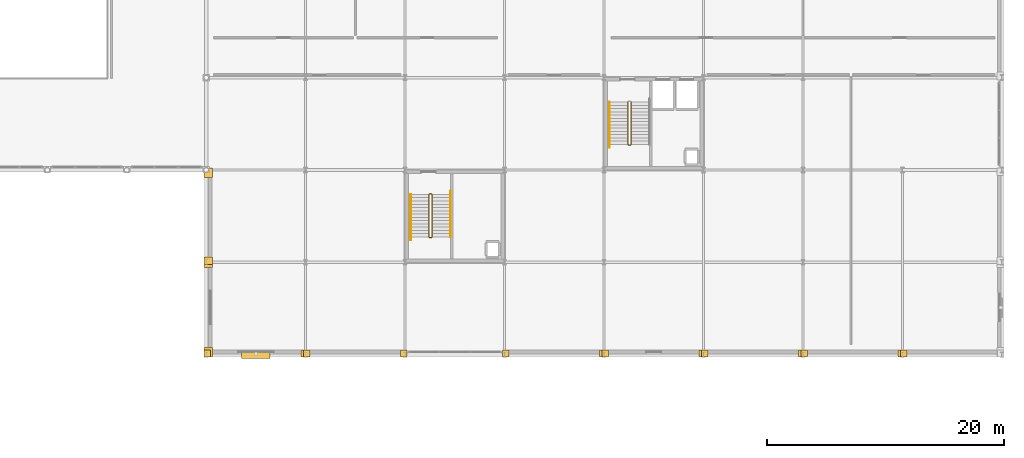
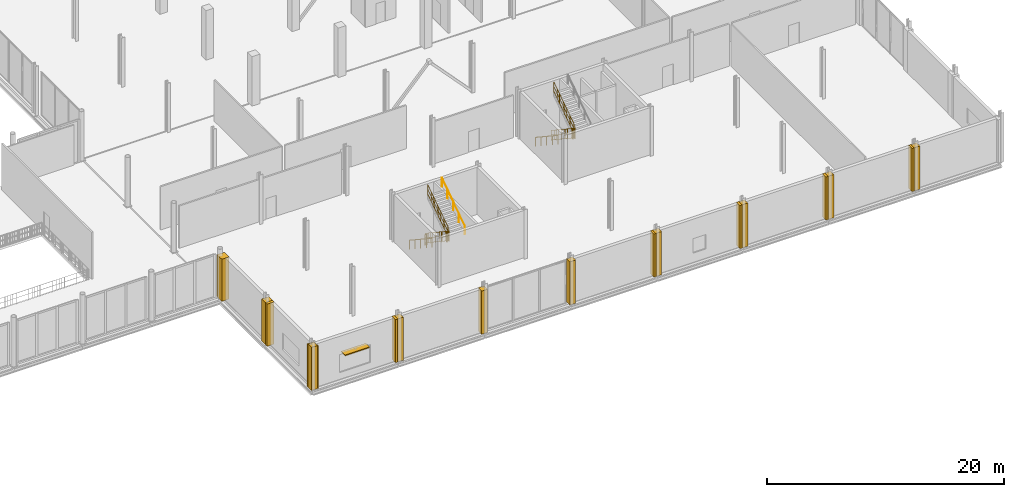
# One storey, part 102 of 105: 17 coverings, 10 railings, 1 shading device.
"""IFC4 building model written with IfcOpenShell, lengths in metres."""

from ifc_helpers import new_model, si_unit, direction, frame, origin, origin_2d, place, context, subcontext, project, spatial, polyline, rectangle, circle, outline, extrude, material, layer, layer_set, type_object, element, save


model = new_model("IFC4")

# Units and contexts
model_context = context("Model", 3, precision=1e-05, world=origin(), true_north=direction((0.0, 1.0)))
body_context = subcontext(model_context, "Body", "Model", "MODEL_VIEW")
ifc_project = project(units=[si_unit("LENGTHUNIT", "METRE"), si_unit("AREAUNIT", "SQUARE_METRE"), si_unit("VOLUMEUNIT", "CUBIC_METRE"), si_unit("PLANEANGLEUNIT", "RADIAN"), si_unit("MASSUNIT", "GRAM", prefix="KILO")], contexts=[model_context])

# Site, building, storey
site_placement = place(None, origin())
site = spatial("IfcSite", under=ifc_project, at=site_placement, CompositionType="ELEMENT")
building_placement = place(site_placement, origin())
building = spatial("IfcBuilding", under=site, at=building_placement, Name="Nabrawat Pavilion Hospital", CompositionType="ELEMENT")
storey_placement = place(building_placement, frame((0.0, 0.0, 5.10009765625)))
storey = spatial("IfcBuildingStorey", under=building, at=storey_placement, Name="L01", CompositionType="ELEMENT", Elevation=5.10009765625)

# Coverings
ifc_material_1 = material(Name="Precast concrete C40/50", Category="concrete")
ifc_layer_1 = layer(ifc_material_1, 0.360107421875, Name="Precast concrete C40/50")
ifc_layer_set_1 = layer_set([ifc_layer_1], Name="Precast concrete C40/50")
covering_type = type_object("IfcCoveringType", Name="Architectural Precast Column-Jamb Closure Reveal", PredefinedType="CLADDING", material=ifc_layer_set_1)
covering_1_placement = place(storey_placement, origin())
element("IfcCovering", 1, at=covering_1_placement, inside=storey, type_object=covering_type, Name="L01 Precast Facade Column-Jamb Weatherseal Closure 0239", PredefinedType="CLADDING", context=body_context, shape_type="SweptSolid", body=[
    extrude(outline(polyline([(126.52001953125, -0.179931640625), (126.52001953125, 0.6201171875), (125.820068359375, 0.6201171875), (125.820068359375, -0.179931640625), (126.52001953125, -0.179931640625)])), origin(), (0.0, 0.0, 1.0), 4.349853515625),
])
covering_2_placement = place(storey_placement, origin())
element("IfcCovering", 2, at=covering_2_placement, inside=storey, type_object=covering_type, Name="L01 Precast Facade Column-Jamb Weatherseal Closure 0240", PredefinedType="CLADDING", context=body_context, shape_type="SweptSolid", body=[
    extrude(outline(polyline([(126.52001953125, 7.344970703125), (126.52001953125, 7.97998046875), (125.820068359375, 7.97998046875), (125.820068359375, 7.344970703125), (126.52001953125, 7.344970703125)])), origin(), (0.0, 0.0, 1.0), 4.349853515625),
])
covering_3_placement = place(storey_placement, origin())
element("IfcCovering", 3, at=covering_3_placement, inside=storey, type_object=covering_type, Name="L01 Precast Facade Column-Jamb Weatherseal Closure 0241", PredefinedType="CLADDING", context=body_context, shape_type="SweptSolid", body=[
    extrude(outline(polyline([(126.52001953125, 7.6201171875), (126.52001953125, 8.2548828125), (125.820068359375, 8.2548828125), (125.820068359375, 7.6201171875), (126.52001953125, 7.6201171875)])), origin(), (0.0, 0.0, 1.0), 4.349853515625),
])
covering_4_placement = place(storey_placement, origin())
element("IfcCovering", 4, at=covering_4_placement, inside=storey, type_object=covering_type, Name="L01 Precast Facade Column-Jamb Weatherseal Closure 0242", PredefinedType="CLADDING", context=body_context, shape_type="SweptSolid", body=[
    extrude(outline(polyline([(126.52001953125, 14.97998046875), (126.52001953125, 15.780029296875), (125.820068359375, 15.780029296875), (125.820068359375, 14.97998046875), (126.52001953125, 14.97998046875)])), origin(), (0.0, 0.0, 1.0), 4.349853515625),
])
covering_5_placement = place(storey_placement, origin())
element("IfcCovering", 5, at=covering_5_placement, inside=storey, type_object=covering_type, Name="L01 Precast Facade Column-Jamb Weatherseal Closure 0243", PredefinedType="CLADDING", context=body_context, shape_type="SweptSolid", body=[
    extrude(outline(polyline([(126.3798828125, -0.179931640625), (126.3798828125, 0.39990234375), (125.820068359375, 0.39990234375), (125.820068359375, -0.179931640625), (126.3798828125, -0.179931640625)])), origin(), (0.0, 0.0, 1.0), 4.449951171875),
])
covering_6_placement = place(storey_placement, origin())
element("IfcCovering", 6, at=covering_6_placement, inside=storey, type_object=covering_type, Name="L01 Precast Facade Column-Jamb Weatherseal Closure 0244", PredefinedType="CLADDING", context=body_context, shape_type="SweptSolid", body=[
    extrude(outline(polyline([(134.580078125, -0.179931640625), (134.580078125, 0.39990234375), (134.02001953125, 0.39990234375), (134.02001953125, -0.179931640625), (134.580078125, -0.179931640625)])), origin(), (0.0, 0.0, 1.0), 4.449951171875),
])
covering_7_placement = place(storey_placement, origin())
element("IfcCovering", 7, at=covering_7_placement, inside=storey, type_object=covering_type, Name="L01 Precast Facade Column-Jamb Weatherseal Closure 0245", PredefinedType="CLADDING", context=body_context, shape_type="SweptSolid", body=[
    extrude(outline(polyline([(134.780029296875, -0.179931640625), (134.780029296875, 0.39990234375), (134.219970703125, 0.39990234375), (134.219970703125, -0.179931640625), (134.780029296875, -0.179931640625)])), origin(), (0.0, 0.0, 1.0), 4.449951171875),
])
covering_8_placement = place(storey_placement, origin())
element("IfcCovering", 8, at=covering_8_placement, inside=storey, type_object=covering_type, Name="L01 Precast Facade Column-Jamb Weatherseal Closure 0246", PredefinedType="CLADDING", context=body_context, shape_type="SweptSolid", body=[
    extrude(outline(polyline([(142.97998046875, -0.179931640625), (142.97998046875, 0.39990234375), (142.419921875, 0.39990234375), (142.419921875, -0.179931640625), (142.97998046875, -0.179931640625)])), origin(), (0.0, 0.0, 1.0), 4.449951171875),
])
covering_9_placement = place(storey_placement, origin())
element("IfcCovering", 9, at=covering_9_placement, inside=storey, type_object=covering_type, Name="L01 Precast Facade Column-Jamb Weatherseal Closure 0247", PredefinedType="CLADDING", context=body_context, shape_type="SweptSolid", body=[
    extrude(outline(polyline([(151.580078125, -0.179931640625), (151.580078125, 0.39990234375), (151.02001953125, 0.39990234375), (151.02001953125, -0.179931640625), (151.580078125, -0.179931640625)])), origin(), (0.0, 0.0, 1.0), 4.449951171875),
])
covering_10_placement = place(storey_placement, origin())
element("IfcCovering", 10, at=covering_10_placement, inside=storey, type_object=covering_type, Name="L01 Precast Facade Column-Jamb Weatherseal Closure 0248", PredefinedType="CLADDING", context=body_context, shape_type="SweptSolid", body=[
    extrude(outline(polyline([(159.780029296875, -0.179931640625), (159.780029296875, 0.39990234375), (159.219970703125, 0.39990234375), (159.219970703125, -0.179931640625), (159.780029296875, -0.179931640625)])), origin(), (0.0, 0.0, 1.0), 4.449951171875),
])
covering_11_placement = place(storey_placement, origin())
element("IfcCovering", 11, at=covering_11_placement, inside=storey, type_object=covering_type, Name="L01 Precast Facade Column-Jamb Weatherseal Closure 0249", PredefinedType="CLADDING", context=body_context, shape_type="SweptSolid", body=[
    extrude(outline(polyline([(159.97998046875, -0.179931640625), (159.97998046875, 0.39990234375), (159.419921875, 0.39990234375), (159.419921875, -0.179931640625), (159.97998046875, -0.179931640625)])), origin(), (0.0, 0.0, 1.0), 4.449951171875),
])
covering_12_placement = place(storey_placement, origin())
element("IfcCovering", 12, at=covering_12_placement, inside=storey, type_object=covering_type, Name="L01 Precast Facade Column-Jamb Weatherseal Closure 0250", PredefinedType="CLADDING", context=body_context, shape_type="SweptSolid", body=[
    extrude(outline(polyline([(168.179931640625, -0.179931640625), (168.179931640625, 0.39990234375), (167.6201171875, 0.39990234375), (167.6201171875, -0.179931640625), (168.179931640625, -0.179931640625)])), origin(), (0.0, 0.0, 1.0), 4.449951171875),
])
covering_13_placement = place(storey_placement, origin())
element("IfcCovering", 13, at=covering_13_placement, inside=storey, type_object=covering_type, Name="L01 Precast Facade Column-Jamb Weatherseal Closure 0251", PredefinedType="CLADDING", context=body_context, shape_type="SweptSolid", body=[
    extrude(outline(polyline([(168.3798828125, -0.179931640625), (168.3798828125, 0.39990234375), (167.820068359375, 0.39990234375), (167.820068359375, -0.179931640625), (168.3798828125, -0.179931640625)])), origin(), (0.0, 0.0, 1.0), 4.449951171875),
])
covering_14_placement = place(storey_placement, origin())
element("IfcCovering", 14, at=covering_14_placement, inside=storey, type_object=covering_type, Name="L01 Precast Facade Column-Jamb Weatherseal Closure 0252", PredefinedType="CLADDING", context=body_context, shape_type="SweptSolid", body=[
    extrude(outline(polyline([(176.580078125, -0.179931640625), (176.580078125, 0.39990234375), (176.02001953125, 0.39990234375), (176.02001953125, -0.179931640625), (176.580078125, -0.179931640625)])), origin(), (0.0, 0.0, 1.0), 4.449951171875),
])
covering_15_placement = place(storey_placement, origin())
element("IfcCovering", 15, at=covering_15_placement, inside=storey, type_object=covering_type, Name="L01 Precast Facade Column-Jamb Weatherseal Closure 0253", PredefinedType="CLADDING", context=body_context, shape_type="SweptSolid", body=[
    extrude(outline(polyline([(176.780029296875, -0.179931640625), (176.780029296875, 0.39990234375), (176.219970703125, 0.39990234375), (176.219970703125, -0.179931640625), (176.780029296875, -0.179931640625)])), origin(), (0.0, 0.0, 1.0), 4.449951171875),
])
covering_16_placement = place(storey_placement, origin())
element("IfcCovering", 16, at=covering_16_placement, inside=storey, type_object=covering_type, Name="L01 Precast Facade Column-Jamb Weatherseal Closure 0254", PredefinedType="CLADDING", context=body_context, shape_type="SweptSolid", body=[
    extrude(outline(polyline([(184.97998046875, -0.179931640625), (184.97998046875, 0.39990234375), (184.419921875, 0.39990234375), (184.419921875, -0.179931640625), (184.97998046875, -0.179931640625)])), origin(), (0.0, 0.0, 1.0), 4.449951171875),
])
covering_17_placement = place(storey_placement, origin())
element("IfcCovering", 17, at=covering_17_placement, inside=storey, type_object=covering_type, Name="L01 Precast Facade Column-Jamb Weatherseal Closure 0255", PredefinedType="CLADDING", context=body_context, shape_type="SweptSolid", body=[
    extrude(outline(polyline([(185.179931640625, -0.179931640625), (185.179931640625, 0.39990234375), (184.6201171875, 0.39990234375), (184.6201171875, -0.179931640625), (185.179931640625, -0.179931640625)])), origin(), (0.0, 0.0, 1.0), 4.449951171875),
])

# Railings
ifc_material_2 = material(Name="Stainless Steel 316", Category="steel")
ifc_layer_2 = layer(ifc_material_2, 0.050048828125, Name="Stainless Steel 316")
ifc_layer_set_2 = layer_set([ifc_layer_2], Name="Stainless Steel 316")
railing_type_1 = type_object("IfcRailingType", Name="Stair Open-Well Safety Guardrail 1100", PredefinedType="GUARDRAIL", material=ifc_layer_set_2)
railing_1_placement = place(storey_placement, frame((161.625, 21.330078125, 0.18212890625)))
element("IfcRailing", 18, at=railing_1_placement, inside=storey, type_object=railing_type_1, Name="L01 ST-04 stair guard 1", PredefinedType="GUARDRAIL", context=body_context, shape_type="SweptSolid", body=[
    extrude(circle(Radius=0.02392578125, at=origin_2d()), frame((0.0, 0.0, 1.076171875), z_axis=(0.0, -0.833745659579, 0.552148689334), x_axis=(1.0, 0.0, 0.0)), (0.0, 0.0, 1.0), 4.2880859375),
    extrude(circle(Radius=0.02392578125, at=origin_2d()), frame((0.0, 0.0, 0.10009765625), z_axis=(0.0, -0.833745659579, 0.552148689334), x_axis=(1.0, 0.0, 0.0)), (0.0, 0.0, 1.0), 4.2880859375),
    extrude(circle(Radius=0.02392578125, at=origin_2d()), frame((0.0, 0.0, 0.60498046875), z_axis=(0.0, -0.833745659579, 0.552148689334), x_axis=(1.0, 0.0, 0.0)), (0.0, 0.0, 1.0), 4.2880859375),
    extrude(circle(Radius=0.008056640625, at=origin_2d()), frame((0.0, -0.19873046875, 0.2314453125)), (0.0, 0.0, 1.0), 0.951904296875),
    extrude(circle(Radius=0.008056640625, at=origin_2d()), frame((0.0, -0.397216796875, 0.363037109375)), (0.0, 0.0, 1.0), 0.951904296875),
    extrude(circle(Radius=0.008056640625, at=origin_2d()), frame((0.0, -0.595947265625, 0.49462890625)), (0.0, 0.0, 1.0), 0.951904296875),
    extrude(circle(Radius=0.008056640625, at=origin_2d()), frame((0.0, -0.79443359375, 0.626220703125)), (0.0, 0.0, 1.0), 0.951904296875),
    extrude(circle(Radius=0.008056640625, at=origin_2d()), frame((0.0, -0.9931640625, 0.757568359375)), (0.0, 0.0, 1.0), 0.951904296875),
    extrude(circle(Radius=0.008056640625, at=origin_2d()), frame((0.0, -1.191650390625, 0.88916015625)), (0.0, 0.0, 1.0), 0.951904296875),
    extrude(circle(Radius=0.008056640625, at=origin_2d()), frame((0.0, -1.390380859375, 1.020751953125)), (0.0, 0.0, 1.0), 0.951904296875),
    extrude(circle(Radius=0.008056640625, at=origin_2d()), frame((0.0, -1.5888671875, 1.15234375)), (0.0, 0.0, 1.0), 0.951904296875),
    extrude(circle(Radius=0.008056640625, at=origin_2d()), frame((0.0, -1.986328125, 1.415283203125)), (0.0, 0.0, 1.0), 0.951904296875),
    extrude(circle(Radius=0.008056640625, at=origin_2d()), frame((0.0, -2.184814453125, 1.546875)), (0.0, 0.0, 1.0), 0.951904296875),
    extrude(circle(Radius=0.008056640625, at=origin_2d()), frame((0.0, -2.383544921875, 1.678466796875)), (0.0, 0.0, 1.0), 0.951904296875),
    extrude(circle(Radius=0.008056640625, at=origin_2d()), frame((0.0, -2.58203125, 1.81005859375)), (0.0, 0.0, 1.0), 0.951904296875),
    extrude(circle(Radius=0.008056640625, at=origin_2d()), frame((0.0, -2.78076171875, 1.94140625)), (0.0, 0.0, 1.0), 0.951904296875),
    extrude(circle(Radius=0.008056640625, at=origin_2d()), frame((0.0, -2.979248046875, 2.072998046875)), (0.0, 0.0, 1.0), 0.951904296875),
    extrude(circle(Radius=0.008056640625, at=origin_2d()), frame((0.0, -3.177978515625, 2.20458984375)), (0.0, 0.0, 1.0), 0.951904296875),
    extrude(circle(Radius=0.008056640625, at=origin_2d()), frame((0.0, -3.37646484375, 2.336181640625)), (0.0, 0.0, 1.0), 0.951904296875),
    extrude(circle(Radius=0.02099609375, at=origin_2d()), origin(), (0.0, 0.0, 1.0), 1.052001953125),
    extrude(circle(Radius=0.02099609375, at=origin_2d()), frame((0.0, -0.893798828125, 0.591796875)), (0.0, 0.0, 1.0), 1.052001953125),
    extrude(circle(Radius=0.02099609375, at=origin_2d()), frame((0.0, -1.78759765625, 1.183837890625)), (0.0, 0.0, 1.0), 1.052001953125),
    extrude(circle(Radius=0.02099609375, at=origin_2d()), frame((0.0, -2.681396484375, 1.77587890625)), (0.0, 0.0, 1.0), 1.052001953125),
    extrude(circle(Radius=0.02099609375, at=origin_2d()), frame((0.0, -3.5751953125, 2.36767578125)), (0.0, 0.0, 1.0), 1.052001953125),
])
railing_2_placement = place(storey_placement, frame((161.64990234375, 17.705078125, 2.5498046875)))
element("IfcRailing", 19, at=railing_2_placement, inside=storey, type_object=railing_type_1, Name="L01 ST-04 stair guard 2", PredefinedType="GUARDRAIL", context=body_context, shape_type="SweptSolid", body=[
    extrude(circle(Radius=0.02392578125, at=origin_2d()), frame((0.0, 0.0, 1.076171875), z_axis=(1.0, 0.0, 0.0), x_axis=(0.0, 1.0, 0.0)), (0.0, 0.0, 1.0), 0.2001953125),
    extrude(circle(Radius=0.02392578125, at=origin_2d()), frame((0.0, 0.0, 0.10009765625), z_axis=(1.0, 0.0, 0.0), x_axis=(0.0, 1.0, 0.0)), (0.0, 0.0, 1.0), 0.2001953125),
    extrude(circle(Radius=0.02392578125, at=origin_2d()), frame((0.0, 0.0, 0.60498046875), z_axis=(1.0, 0.0, 0.0), x_axis=(0.0, 1.0, 0.0)), (0.0, 0.0, 1.0), 0.2001953125),
    extrude(circle(Radius=0.008056640625, at=origin_2d()), frame((0.10009765625, 0.0, 0.10009765625)), (0.0, 0.0, 1.0), 0.951904296875),
    extrude(circle(Radius=0.02099609375, at=origin_2d()), origin(), (0.0, 0.0, 1.0), 1.052001953125),
    extrude(circle(Radius=0.02099609375, at=origin_2d()), frame((0.2001953125, 0.0, 0.0)), (0.0, 0.0, 1.0), 1.052001953125),
])
railing_3_placement = place(storey_placement, frame((161.875, 17.7548828125, 2.73193359375)))
element("IfcRailing", 20, at=railing_3_placement, inside=storey, type_object=railing_type_1, Name="L01 ST-04 stair guard 3", PredefinedType="GUARDRAIL", context=body_context, shape_type="SweptSolid", body=[
    extrude(circle(Radius=0.02392578125, at=origin_2d()), frame((0.0, 0.0, 1.076171875), z_axis=(0.0, 0.833719449677, 0.5521882643), x_axis=(-1.0, 0.0, 0.0)), (0.0, 0.0, 1.0), 4.288330078125),
    extrude(circle(Radius=0.02392578125, at=origin_2d()), frame((0.0, 0.0, 0.10009765625), z_axis=(0.0, 0.833719449677, 0.5521882643), x_axis=(-1.0, 0.0, 0.0)), (0.0, 0.0, 1.0), 4.288330078125),
    extrude(circle(Radius=0.02392578125, at=origin_2d()), frame((0.0, 0.0, 0.60498046875), z_axis=(0.0, 0.833719449677, 0.5521882643), x_axis=(-1.0, 0.0, 0.0)), (0.0, 0.0, 1.0), 4.288330078125),
    extrude(circle(Radius=0.008056640625, at=origin_2d()), frame((0.0, 0.19873046875, 0.2314453125)), (0.0, 0.0, 1.0), 0.951904296875),
    extrude(circle(Radius=0.008056640625, at=origin_2d()), frame((0.0, 0.397216796875, 0.363037109375)), (0.0, 0.0, 1.0), 0.951904296875),
    extrude(circle(Radius=0.008056640625, at=origin_2d()), frame((0.0, 0.595947265625, 0.49462890625)), (0.0, 0.0, 1.0), 0.951904296875),
    extrude(circle(Radius=0.008056640625, at=origin_2d()), frame((0.0, 0.79443359375, 0.626220703125)), (0.0, 0.0, 1.0), 0.951904296875),
    extrude(circle(Radius=0.008056640625, at=origin_2d()), frame((0.0, 0.9931640625, 0.7578125)), (0.0, 0.0, 1.0), 0.951904296875),
    extrude(circle(Radius=0.008056640625, at=origin_2d()), frame((0.0, 1.191650390625, 0.889404296875)), (0.0, 0.0, 1.0), 0.951904296875),
    extrude(circle(Radius=0.008056640625, at=origin_2d()), frame((0.0, 1.390380859375, 1.020751953125)), (0.0, 0.0, 1.0), 0.951904296875),
    extrude(circle(Radius=0.008056640625, at=origin_2d()), frame((0.0, 1.5888671875, 1.15234375)), (0.0, 0.0, 1.0), 0.951904296875),
    extrude(circle(Radius=0.008056640625, at=origin_2d()), frame((0.0, 1.986328125, 1.41552734375)), (0.0, 0.0, 1.0), 0.951904296875),
    extrude(circle(Radius=0.008056640625, at=origin_2d()), frame((0.0, 2.184814453125, 1.547119140625)), (0.0, 0.0, 1.0), 0.951904296875),
    extrude(circle(Radius=0.008056640625, at=origin_2d()), frame((0.0, 2.383544921875, 1.6787109375)), (0.0, 0.0, 1.0), 0.951904296875),
    extrude(circle(Radius=0.008056640625, at=origin_2d()), frame((0.0, 2.58203125, 1.81005859375)), (0.0, 0.0, 1.0), 0.951904296875),
    extrude(circle(Radius=0.008056640625, at=origin_2d()), frame((0.0, 2.78076171875, 1.941650390625)), (0.0, 0.0, 1.0), 0.951904296875),
    extrude(circle(Radius=0.008056640625, at=origin_2d()), frame((0.0, 2.979248046875, 2.0732421875)), (0.0, 0.0, 1.0), 0.951904296875),
    extrude(circle(Radius=0.008056640625, at=origin_2d()), frame((0.0, 3.177978515625, 2.204833984375)), (0.0, 0.0, 1.0), 0.951904296875),
    extrude(circle(Radius=0.008056640625, at=origin_2d()), frame((0.0, 3.37646484375, 2.33642578125)), (0.0, 0.0, 1.0), 0.951904296875),
    extrude(circle(Radius=0.02099609375, at=origin_2d()), origin(), (0.0, 0.0, 1.0), 1.052001953125),
    extrude(circle(Radius=0.02099609375, at=origin_2d()), frame((0.0, 0.893798828125, 0.592041015625)), (0.0, 0.0, 1.0), 1.052001953125),
    extrude(circle(Radius=0.02099609375, at=origin_2d()), frame((0.0, 1.78759765625, 1.18408203125)), (0.0, 0.0, 1.0), 1.052001953125),
    extrude(circle(Radius=0.02099609375, at=origin_2d()), frame((0.0, 2.681396484375, 1.77587890625)), (0.0, 0.0, 1.0), 1.052001953125),
    extrude(circle(Radius=0.02099609375, at=origin_2d()), frame((0.0, 3.5751953125, 2.367919921875)), (0.0, 0.0, 1.0), 1.052001953125),
])
railing_4_placement = place(storey_placement, frame((144.824951171875, 13.530029296875, 0.18212890625)))
element("IfcRailing", 21, at=railing_4_placement, inside=storey, type_object=railing_type_1, Name="L01 ST-08 stair guard 1", PredefinedType="GUARDRAIL", context=body_context, shape_type="SweptSolid", body=[
    extrude(circle(Radius=0.02392578125, at=origin_2d()), frame((0.0, 0.0, 1.076171875), z_axis=(0.0, -0.833728300892, 0.552174900092), x_axis=(1.0, 0.0, 0.0)), (0.0, 0.0, 1.0), 4.287841796875),
    extrude(circle(Radius=0.02392578125, at=origin_2d()), frame((0.0, 0.0, 0.10009765625), z_axis=(0.0, -0.833728300892, 0.552174900092), x_axis=(1.0, 0.0, 0.0)), (0.0, 0.0, 1.0), 4.287841796875),
    extrude(circle(Radius=0.02392578125, at=origin_2d()), frame((0.0, 0.0, 0.60498046875), z_axis=(0.0, -0.833728300892, 0.552174900092), x_axis=(1.0, 0.0, 0.0)), (0.0, 0.0, 1.0), 4.287841796875),
    extrude(circle(Radius=0.008056640625, at=origin_2d()), frame((0.0, -0.19873046875, 0.2314453125)), (0.0, 0.0, 1.0), 0.951904296875),
    extrude(circle(Radius=0.008056640625, at=origin_2d()), frame((0.0, -0.397216796875, 0.363037109375)), (0.0, 0.0, 1.0), 0.951904296875),
    extrude(circle(Radius=0.008056640625, at=origin_2d()), frame((0.0, -0.595703125, 0.49462890625)), (0.0, 0.0, 1.0), 0.951904296875),
    extrude(circle(Radius=0.008056640625, at=origin_2d()), frame((0.0, -0.79443359375, 0.626220703125)), (0.0, 0.0, 1.0), 0.951904296875),
    extrude(circle(Radius=0.008056640625, at=origin_2d()), frame((0.0, -0.9931640625, 0.757568359375)), (0.0, 0.0, 1.0), 0.951904296875),
    extrude(circle(Radius=0.008056640625, at=origin_2d()), frame((0.0, -1.191650390625, 0.88916015625)), (0.0, 0.0, 1.0), 0.951904296875),
    extrude(circle(Radius=0.008056640625, at=origin_2d()), frame((0.0, -1.39013671875, 1.020751953125)), (0.0, 0.0, 1.0), 0.951904296875),
    extrude(circle(Radius=0.008056640625, at=origin_2d()), frame((0.0, -1.5888671875, 1.15234375)), (0.0, 0.0, 1.0), 0.951904296875),
    extrude(circle(Radius=0.008056640625, at=origin_2d()), frame((0.0, -1.986083984375, 1.415283203125)), (0.0, 0.0, 1.0), 0.951904296875),
    extrude(circle(Radius=0.008056640625, at=origin_2d()), frame((0.0, -2.1845703125, 1.546875)), (0.0, 0.0, 1.0), 0.951904296875),
    extrude(circle(Radius=0.008056640625, at=origin_2d()), frame((0.0, -2.38330078125, 1.678466796875)), (0.0, 0.0, 1.0), 0.951904296875),
    extrude(circle(Radius=0.008056640625, at=origin_2d()), frame((0.0, -2.58203125, 1.81005859375)), (0.0, 0.0, 1.0), 0.951904296875),
    extrude(circle(Radius=0.008056640625, at=origin_2d()), frame((0.0, -2.780517578125, 1.94140625)), (0.0, 0.0, 1.0), 0.951904296875),
    extrude(circle(Radius=0.008056640625, at=origin_2d()), frame((0.0, -2.97900390625, 2.072998046875)), (0.0, 0.0, 1.0), 0.951904296875),
    extrude(circle(Radius=0.008056640625, at=origin_2d()), frame((0.0, -3.177734375, 2.20458984375)), (0.0, 0.0, 1.0), 0.951904296875),
    extrude(circle(Radius=0.008056640625, at=origin_2d()), frame((0.0, -3.37646484375, 2.336181640625)), (0.0, 0.0, 1.0), 0.951904296875),
    extrude(circle(Radius=0.02099609375, at=origin_2d()), origin(), (0.0, 0.0, 1.0), 1.052001953125),
    extrude(circle(Radius=0.02099609375, at=origin_2d()), frame((0.0, -0.893798828125, 0.591796875)), (0.0, 0.0, 1.0), 1.052001953125),
    extrude(circle(Radius=0.02099609375, at=origin_2d()), frame((0.0, -1.78759765625, 1.183837890625)), (0.0, 0.0, 1.0), 1.052001953125),
    extrude(circle(Radius=0.02099609375, at=origin_2d()), frame((0.0, -2.68115234375, 1.77587890625)), (0.0, 0.0, 1.0), 1.052001953125),
    extrude(circle(Radius=0.02099609375, at=origin_2d()), frame((0.0, -3.574951171875, 2.36767578125)), (0.0, 0.0, 1.0), 1.052001953125),
])
railing_5_placement = place(storey_placement, frame((144.85009765625, 9.905029296875, 2.5498046875)))
element("IfcRailing", 22, at=railing_5_placement, inside=storey, type_object=railing_type_1, Name="L01 ST-08 stair guard 2", PredefinedType="GUARDRAIL", context=body_context, shape_type="SweptSolid", body=[
    extrude(circle(Radius=0.02392578125, at=origin_2d()), frame((0.0, 0.0, 1.076171875), z_axis=(1.0, 0.0, 0.0), x_axis=(0.0, 1.0, 0.0)), (0.0, 0.0, 1.0), 0.199951171875),
    extrude(circle(Radius=0.02392578125, at=origin_2d()), frame((0.0, 0.0, 0.10009765625), z_axis=(1.0, 0.0, 0.0), x_axis=(0.0, 1.0, 0.0)), (0.0, 0.0, 1.0), 0.199951171875),
    extrude(circle(Radius=0.02392578125, at=origin_2d()), frame((0.0, 0.0, 0.60498046875), z_axis=(1.0, 0.0, 0.0), x_axis=(0.0, 1.0, 0.0)), (0.0, 0.0, 1.0), 0.199951171875),
    extrude(circle(Radius=0.008056640625, at=origin_2d()), frame((0.10009765625, 0.0, 0.10009765625)), (0.0, 0.0, 1.0), 0.951904296875),
    extrude(circle(Radius=0.02099609375, at=origin_2d()), origin(), (0.0, 0.0, 1.0), 1.052001953125),
    extrude(circle(Radius=0.02099609375, at=origin_2d()), frame((0.199951171875, 0.0, 0.0)), (0.0, 0.0, 1.0), 1.052001953125),
])
railing_6_placement = place(storey_placement, frame((145.074951171875, 9.955078125, 2.73193359375)))
element("IfcRailing", 23, at=railing_6_placement, inside=storey, type_object=railing_type_1, Name="L01 ST-08 stair guard 3", PredefinedType="GUARDRAIL", context=body_context, shape_type="SweptSolid", body=[
    extrude(circle(Radius=0.02392578125, at=origin_2d()), frame((0.0, 0.0, 1.076171875), z_axis=(0.0, 0.833702089047, 0.552214475289), x_axis=(-1.0, 0.0, 0.0)), (0.0, 0.0, 1.0), 4.2880859375),
    extrude(circle(Radius=0.02392578125, at=origin_2d()), frame((0.0, 0.0, 0.10009765625), z_axis=(0.0, 0.833702089047, 0.552214475289), x_axis=(-1.0, 0.0, 0.0)), (0.0, 0.0, 1.0), 4.2880859375),
    extrude(circle(Radius=0.02392578125, at=origin_2d()), frame((0.0, 0.0, 0.60498046875), z_axis=(0.0, 0.833702089047, 0.552214475289), x_axis=(-1.0, 0.0, 0.0)), (0.0, 0.0, 1.0), 4.2880859375),
    extrude(circle(Radius=0.008056640625, at=origin_2d()), frame((0.0, 0.19873046875, 0.2314453125)), (0.0, 0.0, 1.0), 0.951904296875),
    extrude(circle(Radius=0.008056640625, at=origin_2d()), frame((0.0, 0.397216796875, 0.363037109375)), (0.0, 0.0, 1.0), 0.951904296875),
    extrude(circle(Radius=0.008056640625, at=origin_2d()), frame((0.0, 0.595703125, 0.49462890625)), (0.0, 0.0, 1.0), 0.951904296875),
    extrude(circle(Radius=0.008056640625, at=origin_2d()), frame((0.0, 0.79443359375, 0.626220703125)), (0.0, 0.0, 1.0), 0.951904296875),
    extrude(circle(Radius=0.008056640625, at=origin_2d()), frame((0.0, 0.9931640625, 0.7578125)), (0.0, 0.0, 1.0), 0.951904296875),
    extrude(circle(Radius=0.008056640625, at=origin_2d()), frame((0.0, 1.191650390625, 0.889404296875)), (0.0, 0.0, 1.0), 0.951904296875),
    extrude(circle(Radius=0.008056640625, at=origin_2d()), frame((0.0, 1.39013671875, 1.020751953125)), (0.0, 0.0, 1.0), 0.951904296875),
    extrude(circle(Radius=0.008056640625, at=origin_2d()), frame((0.0, 1.5888671875, 1.15234375)), (0.0, 0.0, 1.0), 0.951904296875),
    extrude(circle(Radius=0.008056640625, at=origin_2d()), frame((0.0, 1.986083984375, 1.41552734375)), (0.0, 0.0, 1.0), 0.951904296875),
    extrude(circle(Radius=0.008056640625, at=origin_2d()), frame((0.0, 2.1845703125, 1.547119140625)), (0.0, 0.0, 1.0), 0.951904296875),
    extrude(circle(Radius=0.008056640625, at=origin_2d()), frame((0.0, 2.38330078125, 1.6787109375)), (0.0, 0.0, 1.0), 0.951904296875),
    extrude(circle(Radius=0.008056640625, at=origin_2d()), frame((0.0, 2.58203125, 1.81005859375)), (0.0, 0.0, 1.0), 0.951904296875),
    extrude(circle(Radius=0.008056640625, at=origin_2d()), frame((0.0, 2.780517578125, 1.941650390625)), (0.0, 0.0, 1.0), 0.951904296875),
    extrude(circle(Radius=0.008056640625, at=origin_2d()), frame((0.0, 2.97900390625, 2.0732421875)), (0.0, 0.0, 1.0), 0.951904296875),
    extrude(circle(Radius=0.008056640625, at=origin_2d()), frame((0.0, 3.177734375, 2.204833984375)), (0.0, 0.0, 1.0), 0.951904296875),
    extrude(circle(Radius=0.008056640625, at=origin_2d()), frame((0.0, 3.37646484375, 2.33642578125)), (0.0, 0.0, 1.0), 0.951904296875),
    extrude(circle(Radius=0.02099609375, at=origin_2d()), origin(), (0.0, 0.0, 1.0), 1.052001953125),
    extrude(circle(Radius=0.02099609375, at=origin_2d()), frame((0.0, 0.893798828125, 0.592041015625)), (0.0, 0.0, 1.0), 1.052001953125),
    extrude(circle(Radius=0.02099609375, at=origin_2d()), frame((0.0, 1.78759765625, 1.18408203125)), (0.0, 0.0, 1.0), 1.052001953125),
    extrude(circle(Radius=0.02099609375, at=origin_2d()), frame((0.0, 2.68115234375, 1.77587890625)), (0.0, 0.0, 1.0), 1.052001953125),
    extrude(circle(Radius=0.02099609375, at=origin_2d()), frame((0.0, 3.574951171875, 2.367919921875)), (0.0, 0.0, 1.0), 1.052001953125),
])
railing_7_placement = place(storey_placement, frame((144.85009765625, 13.580078125, 0.0)))
element("IfcRailing", 24, at=railing_7_placement, inside=storey, type_object=railing_type_1, Name="L01 ST-08 stair guard 4", PredefinedType="GUARDRAIL", context=body_context, shape_type="SweptSolid", body=[
    extrude(circle(Radius=0.02392578125, at=origin_2d()), frame((0.0, 0.0, 1.076171875), z_axis=(1.0, 0.0, 0.0), x_axis=(0.0, 1.0, 0.0)), (0.0, 0.0, 1.0), 0.199951171875),
    extrude(circle(Radius=0.02392578125, at=origin_2d()), frame((0.0, 0.0, 0.10009765625), z_axis=(1.0, 0.0, 0.0), x_axis=(0.0, 1.0, 0.0)), (0.0, 0.0, 1.0), 0.199951171875),
    extrude(circle(Radius=0.02392578125, at=origin_2d()), frame((0.0, 0.0, 0.60498046875), z_axis=(1.0, 0.0, 0.0), x_axis=(0.0, 1.0, 0.0)), (0.0, 0.0, 1.0), 0.199951171875),
    extrude(circle(Radius=0.008056640625, at=origin_2d()), frame((0.10009765625, 0.0, 0.10009765625)), (0.0, 0.0, 1.0), 0.951904296875),
    extrude(circle(Radius=0.02099609375, at=origin_2d()), origin(), (0.0, 0.0, 1.0), 1.052001953125),
    extrude(circle(Radius=0.02099609375, at=origin_2d()), frame((0.199951171875, 0.0, 0.0)), (0.0, 0.0, 1.0), 1.052001953125),
])
ifc_layer_3 = layer(ifc_material_2, 0.044921875, Name="Stainless Steel 316")
ifc_layer_set_3 = layer_set([ifc_layer_3], Name="Stainless Steel 316")
railing_type_2 = type_object("IfcRailingType", Name="Stair Pitch Continuous Handrail 920", PredefinedType="HANDRAIL", material=ifc_layer_set_3)
for number, where, name in (
    (25, (160.074951171875, 21.330078125, 0.18603515625), "L01 ST-04 stair handrail 1"),
    (26, (143.27490234375, 13.530029296875, 0.18603515625), "L01 ST-08 stair handrail 1"),
):
    element("IfcRailing", number, at=place(storey_placement, frame(where)), inside=storey, type_object=railing_type_2, Name=name, PredefinedType="HANDRAIL", context=body_context, shape_type="SweptSolid", body=[
        extrude(circle(Radius=0.02392578125, at=origin_2d()), frame((0.0, 0.0, 0.89599609375), z_axis=(0.0, -0.833713881912, 0.552196670677), x_axis=(1.0, 0.0, 0.0)), (0.0, 0.0, 1.0), 4.617919921875),
        extrude(circle(Radius=0.02099609375, at=origin_2d()), origin(), (0.0, 0.0, 1.0), 0.871826171875),
        extrude(circle(Radius=0.02099609375, at=origin_2d()), frame((0.0, -0.96240234375, 0.637451171875)), (0.0, 0.0, 1.0), 0.871826171875),
        extrude(circle(Radius=0.02099609375, at=origin_2d()), frame((0.0, -1.925048828125, 1.27490234375)), (0.0, 0.0, 1.0), 0.871826171875),
        extrude(circle(Radius=0.02099609375, at=origin_2d()), frame((0.0, -2.8876953125, 1.91259765625)), (0.0, 0.0, 1.0), 0.871826171875),
        extrude(circle(Radius=0.02099609375, at=origin_2d()), frame((0.0, -3.85009765625, 2.550048828125)), (0.0, 0.0, 1.0), 0.871826171875),
    ])
railing_8_placement = place(storey_placement, frame((146.625, 9.955078125, 2.736083984375)))
element("IfcRailing", 27, at=railing_8_placement, inside=storey, type_object=railing_type_2, Name="L01 ST-08 stair handrail 2", PredefinedType="HANDRAIL", context=body_context, shape_type="SweptSolid", body=[
    extrude(circle(Radius=0.02392578125, at=origin_2d()), frame((0.0, 0.0, 0.89599609375), z_axis=(0.0, 0.833697760554, 0.552221010146), x_axis=(-1.0, 0.0, 0.0)), (0.0, 0.0, 1.0), 4.617919921875),
    extrude(circle(Radius=0.02099609375, at=origin_2d()), origin(), (0.0, 0.0, 1.0), 0.871826171875),
    extrude(circle(Radius=0.02099609375, at=origin_2d()), frame((0.0, 0.96240234375, 0.637451171875)), (0.0, 0.0, 1.0), 0.871826171875),
    extrude(circle(Radius=0.02099609375, at=origin_2d()), frame((0.0, 1.9248046875, 1.27490234375)), (0.0, 0.0, 1.0), 0.871826171875),
    extrude(circle(Radius=0.02099609375, at=origin_2d()), frame((0.0, 2.887451171875, 1.91259765625)), (0.0, 0.0, 1.0), 0.871826171875),
    extrude(circle(Radius=0.02099609375, at=origin_2d()), frame((0.0, 3.849853515625, 2.550048828125)), (0.0, 0.0, 1.0), 0.871826171875),
])

# Shading device
ifc_material_3 = material(Name="Anodised Aluminium", Category="aluminium")
ifc_layer_4 = layer(ifc_material_3, 0.10009765625, Name="Anodised Aluminium")
ifc_layer_set_4 = layer_set([ifc_layer_4], Name="Anodised Aluminium")
shading_device_type = type_object("IfcShadingDeviceType", Name="Window Brow Horizontal Sun-Shading Canopy", PredefinedType="AWNING", material=ifc_layer_set_4)
shading_device_placement = place(storey_placement, frame((130.199951171875, -0.010009765625, 2.5498046875), z_axis=(0.0, 0.0, 1.0), x_axis=(1.0, 0.0, 0.0)))
element("IfcShadingDevice", 28, at=shading_device_placement, inside=storey, type_object=shading_device_type, Name="L01 Window Sun-Shading Brow Canopy 010", PredefinedType="AWNING", context=body_context, shape_type="SweptSolid", body=[
    extrude(rectangle(XDim=2.39990234375, YDim=0.64990234375, at=origin_2d()), origin(), (0.0, 0.0, 1.0), 0.10009765625),
])

save(model, "model.ifc")
